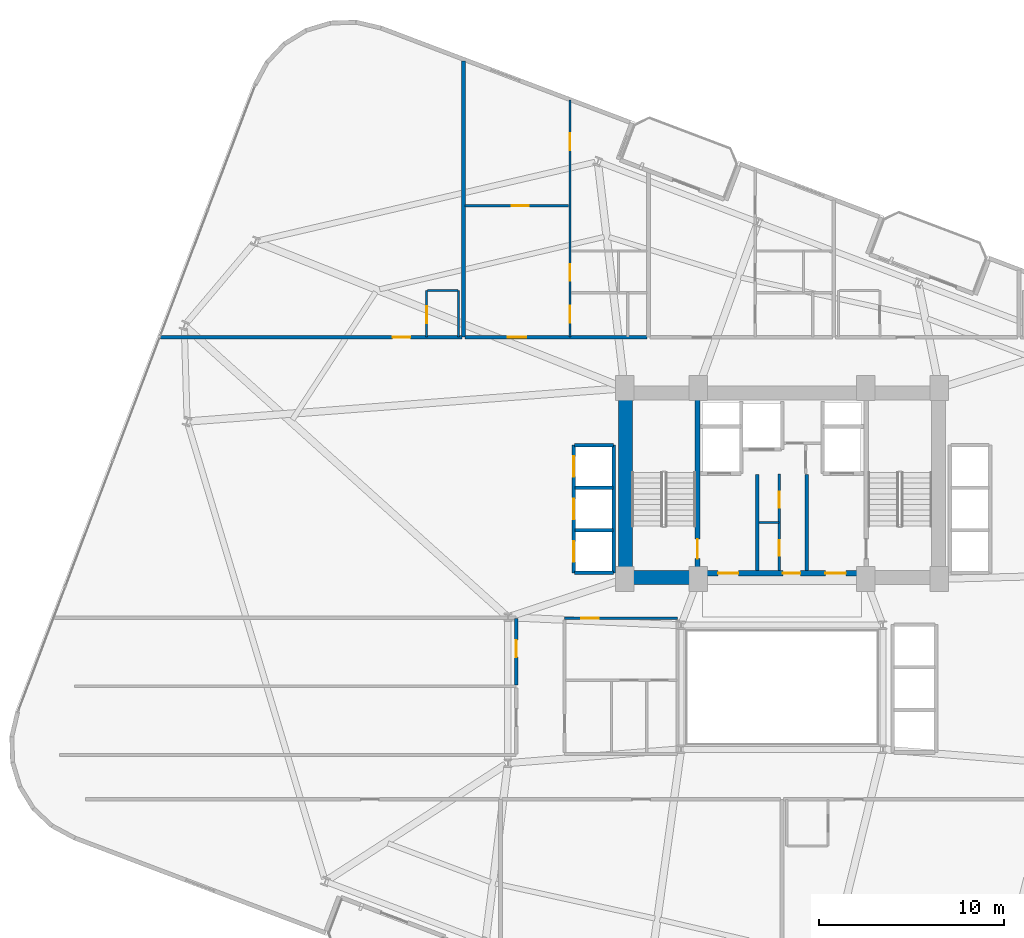
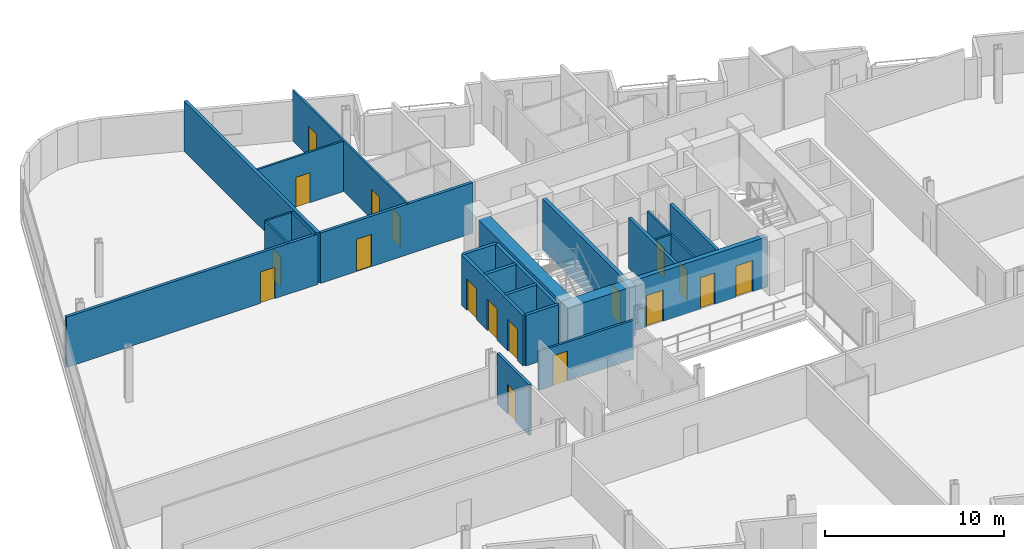
# One storey, part 18 of 24: 24 walls, 18 doors, 18 openings.
"""IFC4 building model written with IfcOpenShell, lengths in metres."""

from ifc_helpers import new_model, si_unit, direction, frame, frame_2d, origin, place, context, subcontext, project, spatial, rectangle, extrude, material, layer, layer_set, type_object, element, fill, save


model = new_model("IFC4")

# Units and contexts
model_context = context("Model", 3, precision=1e-05, world=origin(), true_north=direction((0.0, 1.0)))
body_context = subcontext(model_context, "Body", "Model", "MODEL_VIEW")
ifc_project = project(units=[si_unit("LENGTHUNIT", "METRE"), si_unit("AREAUNIT", "SQUARE_METRE"), si_unit("VOLUMEUNIT", "CUBIC_METRE"), si_unit("PLANEANGLEUNIT", "RADIAN"), si_unit("MASSUNIT", "GRAM", prefix="KILO")], contexts=[model_context])

# Site, building, storey
site_placement = place(None, origin())
site = spatial("IfcSite", under=ifc_project, at=site_placement, CompositionType="ELEMENT")
building_placement = place(site_placement, origin())
building = spatial("IfcBuilding", under=site, at=building_placement, Name="Varnelok Gate Tower", CompositionType="ELEMENT")
storey_placement = place(building_placement, frame((0.0, 0.0, 98.39990234375)))
storey = spatial("IfcBuildingStorey", under=building, at=storey_placement, Name="L24", CompositionType="ELEMENT", Elevation=98.39990234375)

# Wall, opening, door
ifc_material_1 = material(Name="Gypsum Plasterboard Acoustic Partition", Category="gypsum")
ifc_layer_1 = layer(ifc_material_1, 0.179931640625)
ifc_layer_set_1 = layer_set([ifc_layer_1], Name="Gypsum Plasterboard Acoustic Partition")
wall_type_1 = type_object("IfcWallType", Name="PW-CORR-180", PredefinedType="PARTITIONING", material=ifc_layer_set_1)
wall_1_placement = place(storey_placement, frame((5.64599609375, 41.800048828125, 0.0), z_axis=(0.0, 0.0, 1.0), x_axis=(1.0, 0.0, 0.0)))
wall_1 = element("IfcWall", 1, at=wall_1_placement, inside=storey, type_object=wall_type_1, Name="Interior Partition", PredefinedType="PARTITIONING", context=body_context, shape_type="SweptSolid", body=[
    extrude(rectangle(XDim=16.27392578125, YDim=0.179931640625, at=frame_2d((8.136962890625, 0.0))), origin(), (0.0, 0.0, 1.0), 3.4501953125),
])
opening_1_placement = place(wall_1_placement, frame((12.5341796875, 0.0, 0.0)))
opening_1 = element("IfcOpeningElement", 2, at=opening_1_placement, cuts=wall_1, Name="Opening D-HT", PredefinedType="OPENING", context=body_context, shape_type="SweptSolid", body=[
    extrude(rectangle(XDim=0.949951171875, YDim=2.14990234375, at=frame_2d((0.47509765625, 1.074951171875))), frame((0.0, 0.099853515625, 0.0), z_axis=(0.0, -1.0, 0.0), x_axis=(1.0, 0.0, 0.0)), (0.0, 0.0, 1.0), 0.199951171875),
])
ifc_material_2 = material(Name="Engineered Hardwood Timber", Category="wood")
door_type_1 = type_object("IfcDoorType", Name="DR-HTL-950", OperationType="NOTDEFINED", PredefinedType="DOOR", material=ifc_material_2)
door_1_placement = place(opening_1_placement, origin())
door_1 = element("IfcDoor", 3, at=door_1_placement, inside=storey, type_object=door_type_1, Name="L24 Guest Room 05 Entrance Door", OperationType="SINGLE_SWING_RIGHT", OverallHeight=2.14990234375, OverallWidth=0.949951171875, PredefinedType="DOOR", context=body_context, shape_type="SweptSolid", body=[
    extrude(rectangle(XDim=0.949951171875, YDim=2.14990234375, at=frame_2d((0.47509765625, 1.074951171875))), frame((0.0, 0.02490234375, 0.0), z_axis=(0.0, -1.0, 0.0), x_axis=(1.0, 0.0, 0.0)), (0.0, 0.0, 1.0), 0.050048828125),
])
fill(opening_1, door_1)

wall_2_placement = place(storey_placement, frame((22.080078125, 41.800048828125, 0.0), z_axis=(0.0, 0.0, 1.0), x_axis=(1.0, 0.0, 0.0)))
wall_2 = element("IfcWall", 4, at=wall_2_placement, inside=storey, type_object=wall_type_1, Name="Interior Partition", PredefinedType="PARTITIONING", context=body_context, shape_type="SweptSolid", body=[
    extrude(rectangle(XDim=9.83984375, YDim=0.179931640625, at=frame_2d((4.919921875, 0.0))), origin(), (0.0, 0.0, 1.0), 3.4501953125),
])
opening_2_placement = place(wall_2_placement, frame((2.302490234375, 0.0, 0.0)))
opening_2 = element("IfcOpeningElement", 5, at=opening_2_placement, cuts=wall_2, Name="Opening D-AP", PredefinedType="OPENING", context=body_context, shape_type="SweptSolid", body=[
    extrude(rectangle(XDim=1.0, YDim=2.199951171875, at=frame_2d((0.5, 1.10009765625))), frame((0.0, 0.099853515625, 0.0), z_axis=(0.0, -1.0, 0.0), x_axis=(1.0, 0.0, 0.0)), (0.0, 0.0, 1.0), 0.199951171875),
])
door_type_2 = type_object("IfcDoorType", Name="DR-APT-1000", OperationType="NOTDEFINED", PredefinedType="DOOR", material=ifc_material_2)
door_2_placement = place(opening_2_placement, origin())
door_2 = element("IfcDoor", 6, at=door_2_placement, inside=storey, type_object=door_type_2, Name="L24 North Apartment 6 Entrance Door", OperationType="SINGLE_SWING_RIGHT", OverallHeight=2.199951171875, OverallWidth=1.0, PredefinedType="DOOR", context=body_context, shape_type="SweptSolid", body=[
    extrude(rectangle(XDim=1.0, YDim=2.199951171875, at=frame_2d((0.5, 1.10009765625))), frame((0.0, 0.02490234375, 0.0), z_axis=(0.0, -1.0, 0.0), x_axis=(1.0, 0.0, 0.0)), (0.0, 0.0, 1.0), 0.050048828125),
])
fill(opening_2, door_2)

wall_3_placement = place(storey_placement, frame((24.85009765625, 23.030029296875, 0.0), z_axis=(0.0, 0.0, 1.0), x_axis=(0.0, 1.0, 0.0)))
wall_3 = element("IfcWall", 7, at=wall_3_placement, inside=storey, type_object=wall_type_1, Name="Interior Partition", PredefinedType="PARTITIONING", context=body_context, shape_type="SweptSolid", body=[
    extrude(rectangle(XDim=3.570068359375, YDim=0.179931640625, at=frame_2d((1.78515625, 0.0))), origin(), (0.0, 0.0, 1.0), 3.4501953125),
])
opening_3_placement = place(wall_3_placement, frame((1.49951171875, 0.0, 0.0)))
opening_3 = element("IfcOpeningElement", 8, at=opening_3_placement, cuts=wall_3, Name="Opening D-I3", PredefinedType="OPENING", context=body_context, shape_type="SweptSolid", body=[
    extrude(rectangle(XDim=0.919921875, YDim=2.050048828125, at=frame_2d((0.4599609375, 1.02490234375))), frame((0.0, 0.099853515625, 0.0), z_axis=(0.0, -1.0, 0.0), x_axis=(1.0, 0.0, 0.0)), (0.0, 0.0, 1.0), 0.199951171875),
])
door_type_3 = type_object("IfcDoorType", Name="DR-INT-920", OperationType="NOTDEFINED", PredefinedType="DOOR", material=ifc_material_2)
door_3_placement = place(opening_3_placement, origin())
door_3 = element("IfcDoor", 9, at=door_3_placement, inside=storey, type_object=door_type_3, Name="L24 West Wing Room 2 Door", OperationType="SINGLE_SWING_RIGHT", OverallHeight=2.050048828125, OverallWidth=0.919921875, PredefinedType="DOOR", context=body_context, shape_type="SweptSolid", body=[
    extrude(rectangle(XDim=0.919921875, YDim=2.050048828125, at=frame_2d((0.4599609375, 1.02490234375))), frame((0.0, 0.02490234375, 0.0), z_axis=(0.0, -1.0, 0.0), x_axis=(1.0, 0.0, 0.0)), (0.0, 0.0, 1.0), 0.050048828125),
])
fill(opening_3, door_3)

# Wall
ifc_layer_2 = layer(ifc_material_1, 0.114990234375)
ifc_layer_set_2 = layer_set([ifc_layer_2], Name="Gypsum Plasterboard Acoustic Partition")
wall_type_2 = type_object("IfcWallType", Name="PW-ENS-125", PredefinedType="PARTITIONING", material=ifc_layer_set_2)
wall_4_placement = place(storey_placement, frame((20.050048828125, 44.320068359375, 0.0), z_axis=(0.0, 0.0, 1.0), x_axis=(1.0, 0.0, 0.0)))
element("IfcWall", 10, at=wall_4_placement, inside=storey, type_object=wall_type_2, Name="Interior Partition", PredefinedType="PARTITIONING", context=body_context, shape_type="SweptSolid", body=[
    extrude(rectangle(XDim=1.64990234375, YDim=0.114990234375, at=frame_2d((0.824951171875, 0.0))), origin(), (0.0, 0.0, 1.0), 3.4501953125),
])

# Wall, opening, door
wall_5_placement = place(storey_placement, frame((20.010009765625, 41.800048828125, 0.0), z_axis=(0.0, 0.0, 1.0), x_axis=(0.0, 1.0, 0.0)))
wall_5 = element("IfcWall", 11, at=wall_5_placement, inside=storey, type_object=wall_type_2, Name="Interior Partition", PredefinedType="PARTITIONING", context=body_context, shape_type="SweptSolid", body=[
    extrude(rectangle(XDim=2.52001953125, YDim=0.114990234375, at=frame_2d((1.260009765625, 0.0))), origin(), (0.0, 0.0, 1.0), 3.4501953125),
])
opening_4_placement = place(wall_5_placement, frame((0.760009765625, 0.0, 0.0)))
opening_4 = element("IfcOpeningElement", 12, at=opening_4_placement, cuts=wall_5, Name="Opening D-WC", PredefinedType="OPENING", context=body_context, shape_type="SweptSolid", body=[
    extrude(rectangle(XDim=0.89990234375, YDim=2.050048828125, at=frame_2d((0.449951171875, 1.02490234375))), frame((0.0, 0.0673828125, 0.0), z_axis=(0.0, -1.0, 0.0), x_axis=(1.0, 0.0, 0.0)), (0.0, 0.0, 1.0), 0.135009765625),
])
door_type_4 = type_object("IfcDoorType", Name="DR-BATH-900", OperationType="NOTDEFINED", PredefinedType="DOOR", material=ifc_material_2)
door_4_placement = place(opening_4_placement, origin())
door_4 = element("IfcDoor", 13, at=door_4_placement, inside=storey, type_object=door_type_4, Name="L24 North En-Suite 05 Door", OperationType="SINGLE_SWING_LEFT", OverallHeight=2.050048828125, OverallWidth=0.89990234375, PredefinedType="DOOR", context=body_context, shape_type="SweptSolid", body=[
    extrude(rectangle(XDim=0.89990234375, YDim=2.050048828125, at=frame_2d((0.449951171875, 1.02490234375))), frame((0.0, 0.02490234375, 0.0), z_axis=(0.0, -1.0, 0.0), x_axis=(1.0, 0.0, 0.0)), (0.0, 0.0, 1.0), 0.050048828125),
])
fill(opening_4, door_4)

# Wall
wall_6_placement = place(storey_placement, frame((21.739990234375, 41.800048828125, 0.0), z_axis=(0.0, 0.0, 1.0), x_axis=(0.0, 1.0, 0.0)))
element("IfcWall", 14, at=wall_6_placement, inside=storey, type_object=wall_type_2, Name="Interior Partition", PredefinedType="PARTITIONING", context=body_context, shape_type="SweptSolid", body=[
    extrude(rectangle(XDim=2.52001953125, YDim=0.114990234375, at=frame_2d((1.260009765625, 0.0))), origin(), (0.0, 0.0, 1.0), 3.4501953125),
])

# Wall, opening, door
ifc_layer_3 = layer(ifc_material_1, 0.125)
ifc_layer_set_3 = layer_set([ifc_layer_3], Name="Gypsum Plasterboard Acoustic Partition")
wall_type_3 = type_object("IfcWallType", Name="PW-PART-125", PredefinedType="PARTITIONING", material=ifc_layer_set_3)
wall_7_placement = place(storey_placement, frame((22.080078125, 48.89990234375, 0.0), z_axis=(0.0, 0.0, 1.0), x_axis=(1.0, 0.0, 0.0)))
wall_7 = element("IfcWall", 15, at=wall_7_placement, inside=storey, type_object=wall_type_3, Name="Interior Partition", PredefinedType="PARTITIONING", context=body_context, shape_type="SweptSolid", body=[
    extrude(rectangle(XDim=5.605224609375, YDim=0.125, at=frame_2d((2.802734375, 0.0))), origin(), (0.0, 0.0, 1.0), 3.4501953125),
])
opening_5_placement = place(wall_7_placement, frame((2.522216796875, 0.0, 0.0)))
opening_5 = element("IfcOpeningElement", 16, at=opening_5_placement, cuts=wall_7, Name="Opening D-I3", PredefinedType="OPENING", context=body_context, shape_type="SweptSolid", body=[
    extrude(rectangle(XDim=0.919921875, YDim=2.050048828125, at=frame_2d((0.4599609375, 1.02490234375))), frame((0.0, 0.072509765625, 0.0), z_axis=(0.0, -1.0, 0.0), x_axis=(1.0, 0.0, 0.0)), (0.0, 0.0, 1.0), 0.14501953125),
])
door_5_placement = place(opening_5_placement, origin())
door_5 = element("IfcDoor", 17, at=door_5_placement, inside=storey, type_object=door_type_3, Name="L24 North Apt 6 Study Door", OperationType="SINGLE_SWING_RIGHT", OverallHeight=2.050048828125, OverallWidth=0.919921875, PredefinedType="DOOR", context=body_context, shape_type="SweptSolid", body=[
    extrude(rectangle(XDim=0.919921875, YDim=2.050048828125, at=frame_2d((0.4599609375, 1.02490234375))), frame((0.0, 0.02490234375, 0.0), z_axis=(0.0, -1.0, 0.0), x_axis=(1.0, 0.0, 0.0)), (0.0, 0.0, 1.0), 0.050048828125),
])
fill(opening_5, door_5)

# Wall, openings, doors
wall_8_placement = place(storey_placement, frame((27.755126953125, 41.800048828125, 0.0), z_axis=(0.0, 0.0, 1.0), x_axis=(0.0, 1.0, 0.0)))
wall_8 = element("IfcWall", 18, at=wall_8_placement, inside=storey, type_object=wall_type_3, Name="Interior Partition", PredefinedType="PARTITIONING", context=body_context, shape_type="SweptSolid", body=[
    extrude(rectangle(XDim=12.810791015625, YDim=0.125, at=frame_2d((6.4052734375, 0.0))), origin(), (0.0, 0.0, 1.0), 3.4501953125),
])
opening_6_placement = place(wall_8_placement, frame((0.785400390625, 0.0, 0.0)))
opening_6 = element("IfcOpeningElement", 19, at=opening_6_placement, cuts=wall_8, Name="Opening D-I3", PredefinedType="OPENING", context=body_context, shape_type="SweptSolid", body=[
    extrude(rectangle(XDim=0.919921875, YDim=2.050048828125, at=frame_2d((0.4599609375, 1.02490234375))), frame((0.0, 0.072509765625, 0.0), z_axis=(0.0, -1.0, 0.0), x_axis=(1.0, 0.0, 0.0)), (0.0, 0.0, 1.0), 0.14501953125),
])
opening_7_placement = place(wall_8_placement, frame((3.037353515625, 0.0, 0.0)))
opening_7 = element("IfcOpeningElement", 20, at=opening_7_placement, cuts=wall_8, Name="Opening D-WC", PredefinedType="OPENING", context=body_context, shape_type="SweptSolid", body=[
    extrude(rectangle(XDim=0.89990234375, YDim=2.050048828125, at=frame_2d((0.449951171875, 1.02490234375))), frame((0.0, 0.072509765625, 0.0), z_axis=(0.0, -1.0, 0.0), x_axis=(1.0, 0.0, 0.0)), (0.0, 0.0, 1.0), 0.14501953125),
])
opening_8_placement = place(wall_8_placement, frame((10.089111328125, 0.0, 0.0)))
opening_8 = element("IfcOpeningElement", 21, at=opening_8_placement, cuts=wall_8, Name="Opening D-I3", PredefinedType="OPENING", context=body_context, shape_type="SweptSolid", body=[
    extrude(rectangle(XDim=0.919921875, YDim=2.050048828125, at=frame_2d((0.4599609375, 1.02490234375))), frame((0.0, 0.072509765625, 0.0), z_axis=(0.0, -1.0, 0.0), x_axis=(1.0, 0.0, 0.0)), (0.0, 0.0, 1.0), 0.14501953125),
])
door_6_placement = place(opening_7_placement, origin())
door_6 = element("IfcDoor", 22, at=door_6_placement, inside=storey, type_object=door_type_4, Name="L24 North Apt 6 Bathroom Door", OperationType="SINGLE_SWING_RIGHT", OverallHeight=2.050048828125, OverallWidth=0.89990234375, PredefinedType="DOOR", context=body_context, shape_type="SweptSolid", body=[
    extrude(rectangle(XDim=0.89990234375, YDim=2.050048828125, at=frame_2d((0.449951171875, 1.02490234375))), frame((0.0, 0.02490234375, 0.0), z_axis=(0.0, -1.0, 0.0), x_axis=(1.0, 0.0, 0.0)), (0.0, 0.0, 1.0), 0.050048828125),
])
fill(opening_7, door_6)
door_7_placement = place(opening_6_placement, origin())
door_7 = element("IfcDoor", 23, at=door_7_placement, inside=storey, type_object=door_type_3, Name="L24 North Apt 6 Kitchen Door", OperationType="SINGLE_SWING_LEFT", OverallHeight=2.050048828125, OverallWidth=0.919921875, PredefinedType="DOOR", context=body_context, shape_type="SweptSolid", body=[
    extrude(rectangle(XDim=0.919921875, YDim=2.050048828125, at=frame_2d((0.4599609375, 1.02490234375))), frame((0.0, 0.02490234375, 0.0), z_axis=(0.0, -1.0, 0.0), x_axis=(1.0, 0.0, 0.0)), (0.0, 0.0, 1.0), 0.050048828125),
])
fill(opening_6, door_7)
door_8_placement = place(opening_8_placement, origin())
door_8 = element("IfcDoor", 24, at=door_8_placement, inside=storey, type_object=door_type_3, Name="L24 North Apt 6 Bedroom Door", OperationType="SINGLE_SWING_LEFT", OverallHeight=2.050048828125, OverallWidth=0.919921875, PredefinedType="DOOR", context=body_context, shape_type="SweptSolid", body=[
    extrude(rectangle(XDim=0.919921875, YDim=2.050048828125, at=frame_2d((0.4599609375, 1.02490234375))), frame((0.0, 0.02490234375, 0.0), z_axis=(0.0, -1.0, 0.0), x_axis=(1.0, 0.0, 0.0)), (0.0, 0.0, 1.0), 0.050048828125),
])
fill(opening_8, door_8)

# Wall
wall_9_placement = place(storey_placement, frame((37.9599609375, 31.800048828125, 0.0), z_axis=(0.0, 0.0, 1.0), x_axis=(1.0, 0.0, 0.0)))
element("IfcWall", 25, at=wall_9_placement, inside=storey, type_object=wall_type_3, Name="Interior Partition", PredefinedType="PARTITIONING", context=body_context, shape_type="SweptSolid", body=[
    extrude(rectangle(XDim=1.090087890625, YDim=0.125, at=frame_2d((0.544921875, 0.0))), origin(), (0.0, 0.0, 1.0), 3.4501953125),
])

# Wall, openings, doors
wall_10_placement = place(storey_placement, frame((39.050048828125, 29.199951171875, 0.0), z_axis=(0.0, 0.0, 1.0), x_axis=(0.0, 1.0, 0.0)))
wall_10 = element("IfcWall", 26, at=wall_10_placement, inside=storey, type_object=wall_type_3, Name="Interior Partition", PredefinedType="PARTITIONING", context=body_context, shape_type="SweptSolid", body=[
    extrude(rectangle(XDim=5.219970703125, YDim=0.125, at=frame_2d((2.60986328125, 0.0))), origin(), (0.0, 0.0, 1.0), 3.4501953125),
])
opening_9_placement = place(wall_10_placement, frame((0.800048828125, 0.0, 0.0)))
opening_9 = element("IfcOpeningElement", 27, at=opening_9_placement, cuts=wall_10, Name="Opening D-RS", PredefinedType="OPENING", context=body_context, shape_type="SweptSolid", body=[
    extrude(rectangle(XDim=0.85009765625, YDim=2.050048828125, at=frame_2d((0.425048828125, 1.02490234375))), frame((0.0, 0.072509765625, 0.0), z_axis=(0.0, -1.0, 0.0), x_axis=(1.0, 0.0, 0.0)), (0.0, 0.0, 1.0), 0.14501953125),
])
opening_10_placement = place(wall_10_placement, frame((3.39990234375, 0.0, 0.0)))
opening_10 = element("IfcOpeningElement", 28, at=opening_10_placement, cuts=wall_10, Name="Opening D-RS", PredefinedType="OPENING", context=body_context, shape_type="SweptSolid", body=[
    extrude(rectangle(XDim=0.85009765625, YDim=2.050048828125, at=frame_2d((0.425048828125, 1.02490234375))), frame((0.0, 0.072509765625, 0.0), z_axis=(0.0, -1.0, 0.0), x_axis=(1.0, 0.0, 0.0)), (0.0, 0.0, 1.0), 0.14501953125),
])
ifc_material_3 = material(Name="Galvanized Steel Grade S350GD", Category="steel")
door_type_5 = type_object("IfcDoorType", Name="DR-RISER-850", OperationType="NOTDEFINED", PredefinedType="DOOR", material=ifc_material_3)
door_9_placement = place(opening_9_placement, origin())
door_9 = element("IfcDoor", 29, at=door_9_placement, inside=storey, type_object=door_type_5, Name="L24 Housekeeping Linen Door", OperationType="SINGLE_SWING_LEFT", OverallHeight=2.050048828125, OverallWidth=0.85009765625, PredefinedType="DOOR", context=body_context, shape_type="SweptSolid", body=[
    extrude(rectangle(XDim=0.85009765625, YDim=2.050048828125, at=frame_2d((0.425048828125, 1.02490234375))), frame((0.0, 0.02490234375, 0.0), z_axis=(0.0, -1.0, 0.0), x_axis=(1.0, 0.0, 0.0)), (0.0, 0.0, 1.0), 0.050048828125),
])
fill(opening_9, door_9)
door_10_placement = place(opening_10_placement, origin())
door_10 = element("IfcDoor", 30, at=door_10_placement, inside=storey, type_object=door_type_5, Name="L24 Janitor Sink Door", OperationType="SINGLE_SWING_RIGHT", OverallHeight=2.050048828125, OverallWidth=0.85009765625, PredefinedType="DOOR", context=body_context, shape_type="SweptSolid", body=[
    extrude(rectangle(XDim=0.85009765625, YDim=2.050048828125, at=frame_2d((0.425048828125, 1.02490234375))), frame((0.0, 0.02490234375, 0.0), z_axis=(0.0, -1.0, 0.0), x_axis=(1.0, 0.0, 0.0)), (0.0, 0.0, 1.0), 0.050048828125),
])
fill(opening_10, door_10)

# Wall, opening, door
ifc_layer_4 = layer(ifc_material_1, 0.14990234375)
ifc_layer_set_4 = layer_set([ifc_layer_4], Name="Gypsum Plasterboard Acoustic Partition")
wall_type_4 = type_object("IfcWallType", Name="PW-PART-150", PredefinedType="PARTITIONING", material=ifc_layer_set_4)
wall_11_placement = place(storey_placement, frame((27.4599609375, 26.6201171875, 0.0), z_axis=(0.0, 0.0, 1.0), x_axis=(1.0, 0.0, 0.0)))
wall_11 = element("IfcWall", 31, at=wall_11_placement, inside=storey, type_object=wall_type_4, Name="Interior Partition", PredefinedType="PARTITIONING", context=body_context, shape_type="SweptSolid", body=[
    extrude(rectangle(XDim=6.10009765625, YDim=0.14990234375, at=frame_2d((3.050048828125, 0.0))), origin(), (0.0, 0.0, 1.0), 2.662109375),
])
opening_11_placement = place(wall_11_placement, frame((0.8896484375, 0.0, 0.0)))
opening_11 = element("IfcOpeningElement", 32, at=opening_11_placement, cuts=wall_11, Name="Opening D-I2", PredefinedType="OPENING", context=body_context, shape_type="SweptSolid", body=[
    extrude(rectangle(XDim=0.949951171875, YDim=2.050048828125, at=frame_2d((0.47509765625, 1.02490234375))), frame((0.0, 0.0849609375, 0.0), z_axis=(0.0, -1.0, 0.0), x_axis=(1.0, 0.0, 0.0)), (0.0, 0.0, 1.0), 0.169921875),
])
door_type_6 = type_object("IfcDoorType", Name="DR-INT-950", OperationType="NOTDEFINED", PredefinedType="DOOR", material=ifc_material_2)
door_11_placement = place(opening_11_placement, origin())
door_11 = element("IfcDoor", 33, at=door_11_placement, inside=storey, type_object=door_type_6, Name="L24 Spa Treatment Suite Door", OperationType="SINGLE_SWING_LEFT", OverallHeight=2.050048828125, OverallWidth=0.949951171875, PredefinedType="DOOR", context=body_context, shape_type="SweptSolid", body=[
    extrude(rectangle(XDim=0.949951171875, YDim=2.050048828125, at=frame_2d((0.47509765625, 1.02490234375))), frame((0.0, 0.02490234375, 0.0), z_axis=(0.0, -1.0, 0.0), x_axis=(1.0, 0.0, 0.0)), (0.0, 0.0, 1.0), 0.050048828125),
])
fill(opening_11, door_11)

# Walls
ifc_layer_5 = layer(ifc_material_1, 0.205078125)
ifc_layer_set_5 = layer_set([ifc_layer_5], Name="Gypsum Plasterboard Acoustic Partition")
wall_type_5 = type_object("IfcWallType", Name="PW-PARTY-200", PredefinedType="PARTITIONING", material=ifc_layer_set_5)
wall_12_placement = place(storey_placement, frame((22.0, 41.800048828125, 0.0), z_axis=(0.0, 0.0, 1.0), x_axis=(0.0, 1.0, 0.0)))
element("IfcWall", 34, at=wall_12_placement, inside=storey, type_object=wall_type_5, Name="L24 North Party Wall 1", PredefinedType="PARTITIONING", context=body_context, shape_type="SweptSolid", body=[
    extrude(rectangle(XDim=14.906005859375, YDim=0.205078125, at=frame_2d((7.453125, 0.0))), origin(), (0.0, 0.0, 1.0), 3.4501953125),
])
ifc_material_4 = material(Name="Concrete C35/45", Category="concrete")
ifc_layer_6 = layer(ifc_material_4, 0.199951171875)
ifc_layer_set_6 = layer_set([ifc_layer_6], Name="Concrete C35/45")
wall_type_6 = type_object("IfcWallType", Name="PW-SHAFT-200", PredefinedType="PARTITIONING", material=ifc_layer_set_6)
for number, where, z_axis, x_axis, name in (
    (35, (37.860107421875, 29.199951171875, 0.0), (0.0, 0.0, 1.0), (0.0, 1.0, 0.0), "L24 West FF Lobby Rated Wall"),
    (36, (40.5400390625, 29.199951171875, 0.0), (0.0, 0.0, 1.0), (0.0, 1.0, 0.0), "L24 East FF Lobby Rated Wall"),
):
    element("IfcWall", number, at=place(storey_placement, frame(where, z_axis=z_axis, x_axis=x_axis)), inside=storey, type_object=wall_type_6, Name=name, PredefinedType="PARTITIONING", context=body_context, shape_type="SweptSolid", body=[
        extrude(rectangle(XDim=5.179931640625, YDim=0.199951171875, at=frame_2d((2.58984375, 0.0))), origin(), (0.0, 0.0, 1.0), 3.4501953125),
    ])
for number, where, z_axis, x_axis, name in (
    (37, (28.02001953125, 31.375, 0.0), (0.0, 0.0, 1.0), (1.0, 0.0, 0.0), "L24 PL1 Divider"),
    (38, (28.02001953125, 33.675048828125, 0.0), (0.0, 0.0, 1.0), (1.0, 0.0, 0.0), "L24 PL2 Divider"),
):
    element("IfcWall", number, at=place(storey_placement, frame(where, z_axis=z_axis, x_axis=x_axis)), inside=storey, type_object=wall_type_6, Name=name, PredefinedType="PARTITIONING", context=body_context, shape_type="SweptSolid", body=[
        extrude(rectangle(XDim=2.06005859375, YDim=0.199951171875, at=frame_2d((1.030029296875, 0.0))), origin(), (0.0, 0.0, 1.0), 3.4501953125),
    ])
for number, where, z_axis, x_axis, name in (
    (39, (28.0, 29.080078125, 0.0), (0.0, 0.0, 1.0), (1.0, 0.0, 0.0), "L24 PL Bank South Wall"),
    (40, (28.0, 35.969970703125, 0.0), (0.0, 0.0, 1.0), (1.0, 0.0, 0.0), "L24 PL Bank North Wall"),
):
    element("IfcWall", number, at=place(storey_placement, frame(where, z_axis=z_axis, x_axis=x_axis)), inside=storey, type_object=wall_type_6, Name=name, PredefinedType="PARTITIONING", context=body_context, shape_type="SweptSolid", body=[
        extrude(rectangle(XDim=2.10009765625, YDim=0.199951171875, at=frame_2d((1.050048828125, 0.0))), origin(), (0.0, 0.0, 1.0), 3.4501953125),
    ])
wall_13_placement = place(storey_placement, frame((30.1201171875, 29.080078125, 0.0), z_axis=(0.0, 0.0, 1.0), x_axis=(0.0, 1.0, 0.0)))
element("IfcWall", 41, at=wall_13_placement, inside=storey, type_object=wall_type_6, Name="L24 PL Bank Back Wall", PredefinedType="PARTITIONING", context=body_context, shape_type="SweptSolid", body=[
    extrude(rectangle(XDim=6.889892578125, YDim=0.199951171875, at=frame_2d((3.44482421875, 0.0))), origin(), (0.0, 0.0, 1.0), 3.4501953125),
])

# Wall, openings, doors
wall_14_placement = place(storey_placement, frame((27.9599609375, 29.080078125, 0.0), z_axis=(0.0, 0.0, 1.0), x_axis=(0.0, 1.0, 0.0)))
wall_14 = element("IfcWall", 42, at=wall_14_placement, inside=storey, type_object=wall_type_6, Name="L24 PL Bank Front Wall", PredefinedType="PARTITIONING", context=body_context, shape_type="SweptSolid", body=[
    extrude(rectangle(XDim=6.889892578125, YDim=0.199951171875, at=frame_2d((3.44482421875, 0.0))), origin(), (0.0, 0.0, 1.0), 3.4501953125),
])
opening_12_placement = place(wall_14_placement, frame((0.590087890625, 0.0, 0.0)))
opening_12 = element("IfcOpeningElement", 43, at=opening_12_placement, cuts=wall_14, Name="Opening LD-PL1", PredefinedType="OPENING", context=body_context, shape_type="SweptSolid", body=[
    extrude(rectangle(XDim=1.10009765625, YDim=2.14990234375, at=frame_2d((0.550048828125, 1.074951171875))), frame((0.0, 0.10986328125, 0.0), z_axis=(0.0, -1.0, 0.0), x_axis=(1.0, 0.0, 0.0)), (0.0, 0.0, 1.0), 0.219970703125),
])
opening_13_placement = place(wall_14_placement, frame((2.889892578125, 0.0, 0.0)))
opening_13 = element("IfcOpeningElement", 44, at=opening_13_placement, cuts=wall_14, Name="Opening LD-PL2", PredefinedType="OPENING", context=body_context, shape_type="SweptSolid", body=[
    extrude(rectangle(XDim=1.10009765625, YDim=2.14990234375, at=frame_2d((0.550048828125, 1.074951171875))), frame((0.0, 0.10986328125, 0.0), z_axis=(0.0, -1.0, 0.0), x_axis=(1.0, 0.0, 0.0)), (0.0, 0.0, 1.0), 0.219970703125),
])
opening_14_placement = place(wall_14_placement, frame((5.18994140625, 0.0, 0.0)))
opening_14 = element("IfcOpeningElement", 45, at=opening_14_placement, cuts=wall_14, Name="Opening LD-PL3", PredefinedType="OPENING", context=body_context, shape_type="SweptSolid", body=[
    extrude(rectangle(XDim=1.10009765625, YDim=2.14990234375, at=frame_2d((0.550048828125, 1.074951171875))), frame((0.0, 0.10986328125, 0.0), z_axis=(0.0, -1.0, 0.0), x_axis=(1.0, 0.0, 0.0)), (0.0, 0.0, 1.0), 0.219970703125),
])
door_type_7 = type_object("IfcDoorType", Name="DR-LIFT-PAX1100", OperationType="SLIDING_TO_LEFT", PredefinedType="DOOR", material=ifc_material_3)
door_12_placement = place(opening_12_placement, origin())
door_12 = element("IfcDoor", 46, at=door_12_placement, inside=storey, type_object=door_type_7, Name="L24 Passenger Lift Landing Door LD-PL1", OperationType="SLIDING_TO_LEFT", OverallHeight=2.14990234375, OverallWidth=1.10009765625, PredefinedType="DOOR", context=body_context, shape_type="SweptSolid", body=[
    extrude(rectangle(XDim=1.10009765625, YDim=2.14990234375, at=frame_2d((0.550048828125, 1.074951171875))), frame((0.0, 0.02490234375, 0.0), z_axis=(0.0, -1.0, 0.0), x_axis=(1.0, 0.0, 0.0)), (0.0, 0.0, 1.0), 0.050048828125),
])
fill(opening_12, door_12)
door_13_placement = place(opening_13_placement, origin())
door_13 = element("IfcDoor", 47, at=door_13_placement, inside=storey, type_object=door_type_7, Name="L24 Passenger Lift Landing Door LD-PL2", OperationType="SLIDING_TO_LEFT", OverallHeight=2.14990234375, OverallWidth=1.10009765625, PredefinedType="DOOR", context=body_context, shape_type="SweptSolid", body=[
    extrude(rectangle(XDim=1.10009765625, YDim=2.14990234375, at=frame_2d((0.550048828125, 1.074951171875))), frame((0.0, 0.02490234375, 0.0), z_axis=(0.0, -1.0, 0.0), x_axis=(1.0, 0.0, 0.0)), (0.0, 0.0, 1.0), 0.050048828125),
])
fill(opening_13, door_13)
door_14_placement = place(opening_14_placement, origin())
door_14 = element("IfcDoor", 48, at=door_14_placement, inside=storey, type_object=door_type_7, Name="L24 Passenger Lift Landing Door LD-PL3", OperationType="SLIDING_TO_LEFT", OverallHeight=2.14990234375, OverallWidth=1.10009765625, PredefinedType="DOOR", context=body_context, shape_type="SweptSolid", body=[
    extrude(rectangle(XDim=1.10009765625, YDim=2.14990234375, at=frame_2d((0.550048828125, 1.074951171875))), frame((0.0, 0.02490234375, 0.0), z_axis=(0.0, -1.0, 0.0), x_axis=(1.0, 0.0, 0.0)), (0.0, 0.0, 1.0), 0.050048828125),
])
fill(opening_14, door_14)

# Walls
ifc_material_5 = material(Name="Concrete C70/85", Category="concrete")
ifc_layer_7 = layer(ifc_material_5, 0.75)
ifc_layer_set_7 = layer_set([ifc_layer_7], Name="Concrete C70/85")
wall_type_7 = type_object("IfcWallType", Name="SW-CORE-750", PredefinedType="SHEAR", material=ifc_layer_set_7)
wall_15_placement = place(storey_placement, frame((30.7548828125, 29.199951171875, 0.0), z_axis=(0.0, 0.0, 1.0), x_axis=(0.0, 1.0, 0.0)))
element("IfcWall", 49, at=wall_15_placement, inside=storey, type_object=wall_type_7, Name="L24 Rear Core West Shear Wall", PredefinedType="SHEAR", context=body_context, shape_type="SweptSolid", body=[
    extrude(rectangle(XDim=9.219970703125, YDim=0.75, at=frame_2d((4.60986328125, 0.0))), origin(), (0.0, 0.0, 1.0), 3.4501953125),
])
wall_16_placement = place(storey_placement, frame((30.3798828125, 28.824951171875, 0.0), z_axis=(0.0, 0.0, 1.0), x_axis=(1.0, 0.0, 0.0)))
element("IfcWall", 50, at=wall_16_placement, inside=storey, type_object=wall_type_7, Name="L24 Rear Core South-West Shear Wall", PredefinedType="SHEAR", context=body_context, shape_type="SweptSolid", body=[
    extrude(rectangle(XDim=4.420166015625, YDim=0.75, at=frame_2d((2.2099609375, 0.0))), origin(), (0.0, 0.0, 1.0), 3.4501953125),
])

# Wall, opening, door
ifc_material_6 = material(Name="Concrete C60/75", Category="concrete")
ifc_layer_8 = layer(ifc_material_6, 0.25)
ifc_layer_set_8 = layer_set([ifc_layer_8], Name="Concrete C60/75")
wall_type_8 = type_object("IfcWallType", Name="SW-SHAFT-250", PredefinedType="SHEAR", material=ifc_layer_set_8)
wall_17_placement = place(storey_placement, frame((34.639892578125, 29.199951171875, 0.0), z_axis=(0.0, 0.0, 1.0), x_axis=(0.0, 1.0, 0.0)))
wall_17 = element("IfcWall", 51, at=wall_17_placement, inside=storey, type_object=wall_type_8, Name="L24 Stair ST-1 East Shear Wall", PredefinedType="SHEAR", context=body_context, shape_type="SweptSolid", body=[
    extrude(rectangle(XDim=9.219970703125, YDim=0.25, at=frame_2d((4.60986328125, 0.0))), origin(), (0.0, 0.0, 1.0), 3.4501953125),
])
opening_15_placement = place(wall_17_placement, frame((0.64990234375, 0.0, 0.0)))
opening_15 = element("IfcOpeningElement", 52, at=opening_15_placement, cuts=wall_17, Name="Opening D-ST", PredefinedType="OPENING", context=body_context, shape_type="SweptSolid", body=[
    extrude(rectangle(XDim=1.050048828125, YDim=2.14990234375, at=frame_2d((0.52490234375, 1.074951171875))), frame((0.0, 0.135009765625, 0.0), z_axis=(0.0, -1.0, 0.0), x_axis=(1.0, 0.0, 0.0)), (0.0, 0.0, 1.0), 0.27001953125),
])
door_type_8 = type_object("IfcDoorType", Name="DR-STAIR-1050", OperationType="NOTDEFINED", PredefinedType="DOOR", material=ifc_material_3)
door_15_placement = place(opening_15_placement, origin())
door_15 = element("IfcDoor", 53, at=door_15_placement, inside=storey, type_object=door_type_8, Name="L24 Exit Stair ST-1 Fire Door", OperationType="SINGLE_SWING_LEFT", OverallHeight=2.14990234375, OverallWidth=1.050048828125, PredefinedType="DOOR", context=body_context, shape_type="SweptSolid", body=[
    extrude(rectangle(XDim=1.050048828125, YDim=2.14990234375, at=frame_2d((0.52490234375, 1.074951171875))), frame((0.0, 0.02490234375, 0.0), z_axis=(0.0, -1.0, 0.0), x_axis=(1.0, 0.0, 0.0)), (0.0, 0.0, 1.0), 0.050048828125),
])
fill(opening_15, door_15)

# Wall, openings, doors
ifc_layer_9 = layer(ifc_material_6, 0.300048828125)
ifc_layer_set_9 = layer_set([ifc_layer_9], Name="Concrete C60/75")
wall_type_9 = type_object("IfcWallType", Name="SW-SHAFT-300", PredefinedType="SHEAR", material=ifc_layer_set_9)
wall_18_placement = place(storey_placement, frame((34.800048828125, 29.050048828125, 0.0), z_axis=(0.0, 0.0, 1.0), x_axis=(1.0, 0.0, 0.0)))
wall_18 = element("IfcWall", 54, at=wall_18_placement, inside=storey, type_object=wall_type_9, Name="L24 Rear Core Central Lobby Shear Wall", PredefinedType="SHEAR", context=body_context, shape_type="SweptSolid", body=[
    extrude(rectangle(XDim=8.800048828125, YDim=0.300048828125, at=frame_2d((4.39990234375, 0.0))), origin(), (0.0, 0.0, 1.0), 3.4501953125),
])
opening_16_placement = place(wall_18_placement, frame((0.949951171875, 0.0, 0.0)))
opening_16 = element("IfcOpeningElement", 55, at=opening_16_placement, cuts=wall_18, Name="Opening D-FF", PredefinedType="OPENING", context=body_context, shape_type="SweptSolid", body=[
    extrude(rectangle(XDim=1.10009765625, YDim=2.14990234375, at=frame_2d((0.550048828125, 1.074951171875))), frame((0.0, 0.159912109375, 0.0), z_axis=(0.0, -1.0, 0.0), x_axis=(1.0, 0.0, 0.0)), (0.0, 0.0, 1.0), 0.320068359375),
])
opening_17_placement = place(wall_18_placement, frame((6.75, 0.0, 0.0)))
opening_17 = element("IfcOpeningElement", 56, at=opening_17_placement, cuts=wall_18, Name="Opening D-FF", PredefinedType="OPENING", context=body_context, shape_type="SweptSolid", body=[
    extrude(rectangle(XDim=1.10009765625, YDim=2.14990234375, at=frame_2d((0.550048828125, 1.074951171875))), frame((0.0, 0.159912109375, 0.0), z_axis=(0.0, -1.0, 0.0), x_axis=(1.0, 0.0, 0.0)), (0.0, 0.0, 1.0), 0.320068359375),
])
opening_18_placement = place(wall_18_placement, frame((4.449951171875, 0.0, 0.0)))
opening_18 = element("IfcOpeningElement", 57, at=opening_18_placement, cuts=wall_18, Name="Opening D-CR", PredefinedType="OPENING", context=body_context, shape_type="SweptSolid", body=[
    extrude(rectangle(XDim=0.949951171875, YDim=2.14990234375, at=frame_2d((0.47509765625, 1.074951171875))), frame((0.0, 0.159912109375, 0.0), z_axis=(0.0, -1.0, 0.0), x_axis=(1.0, 0.0, 0.0)), (0.0, 0.0, 1.0), 0.320068359375),
])
door_type_9 = type_object("IfcDoorType", Name="DR-CORR-950", OperationType="NOTDEFINED", PredefinedType="DOOR", material=ifc_material_3)
door_16_placement = place(opening_18_placement, origin())
door_16 = element("IfcDoor", 58, at=door_16_placement, inside=storey, type_object=door_type_9, Name="L24 Core Service Passage Door", OperationType="SINGLE_SWING_LEFT", OverallHeight=2.14990234375, OverallWidth=0.949951171875, PredefinedType="DOOR", context=body_context, shape_type="SweptSolid", body=[
    extrude(rectangle(XDim=0.949951171875, YDim=2.14990234375, at=frame_2d((0.47509765625, 1.074951171875))), frame((0.0, 0.02490234375, 0.0), z_axis=(0.0, -1.0, 0.0), x_axis=(1.0, 0.0, 0.0)), (0.0, 0.0, 1.0), 0.050048828125),
])
fill(opening_18, door_16)
door_type_10 = type_object("IfcDoorType", Name="DR-FFLOB-1100", OperationType="NOTDEFINED", PredefinedType="DOOR", material=ifc_material_3)
door_17_placement = place(opening_16_placement, origin())
door_17 = element("IfcDoor", 59, at=door_17_placement, inside=storey, type_object=door_type_10, Name="L24 West Firefighting Lobby Fire Door", OperationType="SINGLE_SWING_RIGHT", OverallHeight=2.14990234375, OverallWidth=1.10009765625, PredefinedType="DOOR", context=body_context, shape_type="SweptSolid", body=[
    extrude(rectangle(XDim=1.10009765625, YDim=2.14990234375, at=frame_2d((0.550048828125, 1.074951171875))), frame((0.0, 0.02490234375, 0.0), z_axis=(0.0, -1.0, 0.0), x_axis=(1.0, 0.0, 0.0)), (0.0, 0.0, 1.0), 0.050048828125),
])
fill(opening_16, door_17)
door_18_placement = place(opening_17_placement, origin())
door_18 = element("IfcDoor", 60, at=door_18_placement, inside=storey, type_object=door_type_10, Name="L24 East Firefighting Lobby Fire Door", OperationType="SINGLE_SWING_LEFT", OverallHeight=2.14990234375, OverallWidth=1.10009765625, PredefinedType="DOOR", context=body_context, shape_type="SweptSolid", body=[
    extrude(rectangle(XDim=1.10009765625, YDim=2.14990234375, at=frame_2d((0.550048828125, 1.074951171875))), frame((0.0, 0.02490234375, 0.0), z_axis=(0.0, -1.0, 0.0), x_axis=(1.0, 0.0, 0.0)), (0.0, 0.0, 1.0), 0.050048828125),
])
fill(opening_17, door_18)

save(model, "model.ifc")
